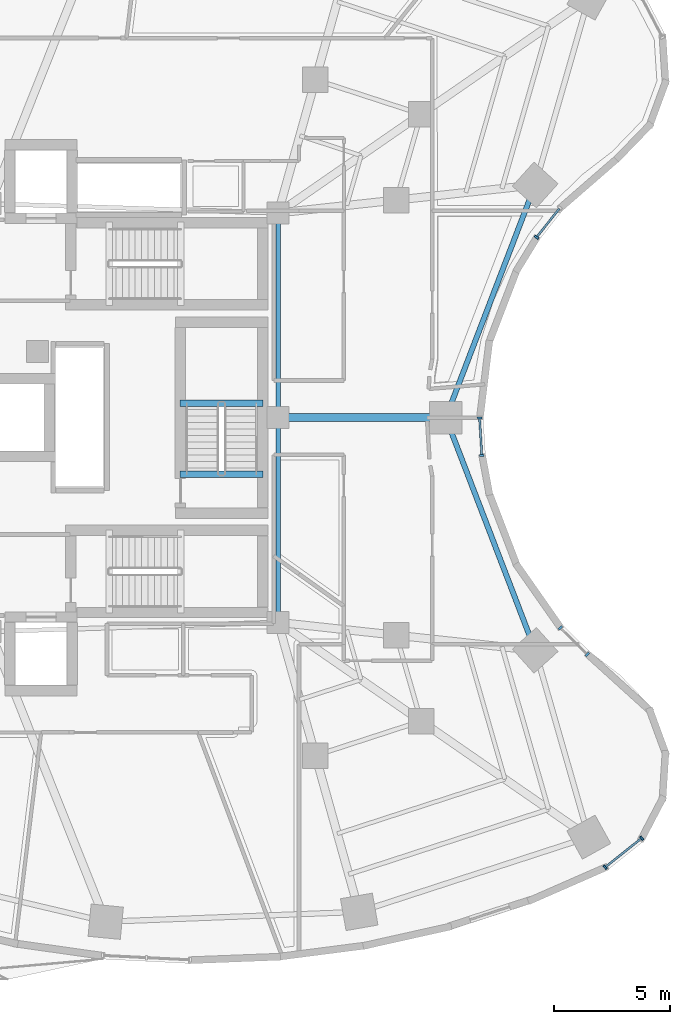
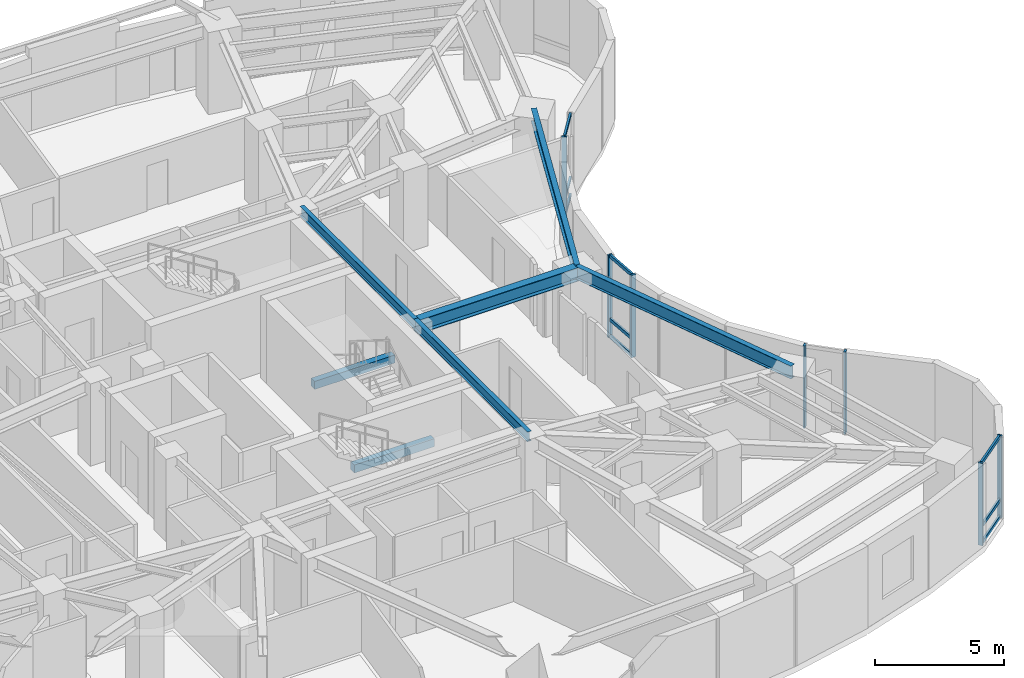
# One storey, part 4 of 16: 16 members, 7 beams, 4 elements without a shape of their own.
"""IFC4 building model written with IfcOpenShell, lengths in metres."""

from ifc_helpers import new_model, si_unit, direction, frame, origin, origin_2d, place, context, subcontext, project, spatial, rectangle, i_section, extrude, material, layer, layer_set, material_profile, profile_set, type_object, element, aggregate, save


model = new_model("IFC4")

# Units and contexts
model_context = context("Model", 3, precision=1e-05, world=origin(), true_north=direction((0.0, 1.0)))
body_context = subcontext(model_context, "Body", "Model", "MODEL_VIEW")
ifc_project = project(units=[si_unit("LENGTHUNIT", "METRE"), si_unit("AREAUNIT", "SQUARE_METRE"), si_unit("VOLUMEUNIT", "CUBIC_METRE"), si_unit("PLANEANGLEUNIT", "RADIAN"), si_unit("MASSUNIT", "GRAM", prefix="KILO")], contexts=[model_context])

# Site, building, storey
site_placement = place(None, origin())
site = spatial("IfcSite", under=ifc_project, at=site_placement, CompositionType="ELEMENT")
building_placement = place(site_placement, origin())
building = spatial("IfcBuilding", under=site, at=building_placement, Name="Korentha Bioscience Tower", CompositionType="ELEMENT")
storey_placement = place(building_placement, frame((0.0, 0.0, 59.39990234375)))
storey = spatial("IfcBuildingStorey", under=building, at=storey_placement, Name="L13", CompositionType="ELEMENT", Elevation=59.39990234375)

# Beams
ifc_material_1 = material(Name="Concrete C50", Category="concrete")
ifc_material_profile_1 = material_profile(ifc_material_1, rectangle(XDim=0.280029296875, YDim=0.3798828125, at=origin_2d()), Name="Concrete C50")
ifc_profile_set_1 = profile_set([ifc_material_profile_1], Name="Concrete C50 (ST-HB380)")
beam_type_1 = type_object("IfcBeamType", Name="Concrete Stair Header Beam RC 280x380", PredefinedType="BEAM", material=ifc_profile_set_1)
for number, where, z_axis, x_axis, name in (
    (1, (36.89990234375, 24.550048828125, -0.18994140625), (-1.0, 0.0, 0.0), (0.0, -1.0, 0.0), "L13 ST-3 Concrete Stair Header Beam"),
    (2, (36.89990234375, 27.6298828125, 1.91015625), (-1.0, 0.0, 0.0), (0.0, -1.0, 0.0), "L13 ST-3 Half-Landing Header Beam 1"),
):
    element("IfcBeam", number, at=place(storey_placement, frame(where, z_axis=z_axis, x_axis=x_axis)), inside=storey, type_object=beam_type_1, Name=name, PredefinedType="BEAM", context=body_context, shape_type="SweptSolid", body=[
        extrude(rectangle(XDim=0.280029296875, YDim=0.3798828125, at=origin_2d()), origin(), (0.0, 0.0, 1.0), 3.599853515625),
    ])
ifc_material_2 = material(Name="Steel S355", Category="steel")
ifc_material_profile_2 = material_profile(ifc_material_2, i_section(OverallWidth=0.18994140625, OverallDepth=0.45703125, WebThickness=0.009033203125, FlangeThickness=0.014404296875, at=origin_2d()), Name="Steel S355")
ifc_profile_set_2 = profile_set([ifc_material_profile_2], Name="Steel S355 (MB-460)")
beam_type_2 = type_object("IfcBeamType", Name="Mid-Ring Tie Girder W460x74", PredefinedType="BEAM", material=ifc_profile_set_2)
for number, where, z_axis, x_axis, name in (
    (3, (37.550048828125, 18.14990234375, 3.671630859375), (0.0, 1.0, 0.0), (-1.0, 0.0, 0.0), "L13 Core Ring Tie Girder 06"),
    (4, (37.550048828125, 27.0, 3.671630859375), (0.0, 1.0, 0.0), (-1.0, 0.0, 0.0), "L13 Core Ring Tie Girder 07"),
):
    element("IfcBeam", number, at=place(storey_placement, frame(where, z_axis=z_axis, x_axis=x_axis)), inside=storey, type_object=beam_type_2, Name=name, PredefinedType="BEAM", context=body_context, shape_type="SweptSolid", body=[
        extrude(i_section(OverallWidth=0.18994140625, OverallDepth=0.45703125, WebThickness=0.009033203125, FlangeThickness=0.014404296875, at=origin_2d()), origin(), (0.0, 0.0, 1.0), 8.85009765625),
    ])

# Curtain wall, members
ifc_material_3 = material(Name="Thermally Broken Aluminium Frame", Category="aluminium")
ifc_layer = layer(ifc_material_3, 0.219970703125, Name="Thermally Broken Aluminium Frame")
ifc_layer_set = layer_set([ifc_layer], Name="Thermally Broken Aluminium Frame (CW-T1)")
curtain_wall_type = type_object("IfcCurtainWallType", Name="Standard Bioscience Lab Unitised Curtain Wall CW-T1", PredefinedType="USERDEFINED", material=ifc_layer_set)
curtain_wall_1_placement = place(storey_placement, origin())
curtain_wall_1 = element("IfcCurtainWall", 5, at=curtain_wall_1_placement, inside=storey, type_object=curtain_wall_type, Name="L13 Curtain Wall 37", ObjectType="UNITISED", PredefinedType="USERDEFINED")
ifc_material_4 = material(Name="Anodised Aluminium 6063-T6", Category="aluminium")
ifc_material_profile_3 = material_profile(ifc_material_4, rectangle(XDim=0.090087890625, YDim=0.199951171875, at=origin_2d()), Name="Anodised Aluminium 6063-T6")
ifc_profile_set_3 = profile_set([ifc_material_profile_3], Name="Anodised Aluminium 6063-T6 (CW-MUL)")
member_type_1 = type_object("IfcMemberType", Name="Mullion RECT 90x200", PredefinedType="MULLION", material=ifc_profile_set_3)
member_1_placement = place(storey_placement, frame((51.6865234375, 7.56298828125, 0.0), z_axis=(0.0, 0.0, 1.0), x_axis=(0.782287851332, 0.62291710336, 0.0)))
member_1 = element("IfcMember", 6, at=member_1_placement, type_object=member_type_1, Name="CW-L13-37 Mullion 1", PredefinedType="MULLION", context=body_context, shape_type="SweptSolid", body=[
    extrude(rectangle(XDim=0.090087890625, YDim=0.199951171875, at=origin_2d()), origin(), (0.0, 0.0, 1.0), 3.900146484375),
])
member_2_placement = place(storey_placement, frame((53.264892578125, 8.81982421875, 0.0), z_axis=(0.0, 0.0, 1.0), x_axis=(0.782287851332, 0.62291710336, 0.0)))
member_2 = element("IfcMember", 7, at=member_2_placement, type_object=member_type_1, Name="CW-L13-37 Mullion 2", PredefinedType="MULLION", context=body_context, shape_type="SweptSolid", body=[
    extrude(rectangle(XDim=0.090087890625, YDim=0.199951171875, at=origin_2d()), origin(), (0.0, 0.0, 1.0), 3.900146484375),
])

curtain_wall_2_placement = place(storey_placement, origin())
curtain_wall_2 = element("IfcCurtainWall", 8, at=curtain_wall_2_placement, inside=storey, type_object=curtain_wall_type, Name="L13 Curtain Wall 43", ObjectType="UNITISED", PredefinedType="USERDEFINED")
member_3_placement = place(storey_placement, frame((50.913818359375, 16.76513671875, 0.0), z_axis=(0.0, 0.0, 1.0), x_axis=(-0.713279246754, 0.700879958445, 0.0)))
member_3 = element("IfcMember", 9, at=member_3_placement, type_object=member_type_1, Name="CW-L13-43 Mullion 1", PredefinedType="MULLION", context=body_context, shape_type="SweptSolid", body=[
    extrude(rectangle(XDim=0.090087890625, YDim=0.199951171875, at=origin_2d()), origin(), (0.0, 0.0, 1.0), 3.900146484375),
])
member_4_placement = place(storey_placement, frame((49.752685546875, 17.90625, 0.0), z_axis=(0.0, 0.0, 1.0), x_axis=(-0.713279246754, 0.700879958445, 0.0)))
member_4 = element("IfcMember", 10, at=member_4_placement, type_object=member_type_1, Name="CW-L13-43 Mullion 2", PredefinedType="MULLION", context=body_context, shape_type="SweptSolid", body=[
    extrude(rectangle(XDim=0.090087890625, YDim=0.199951171875, at=origin_2d()), origin(), (0.0, 0.0, 1.0), 3.900146484375),
])
aggregate(curtain_wall_2, [member_3, member_4])

curtain_wall_3_placement = place(storey_placement, origin())
curtain_wall_3 = element("IfcCurtainWall", 11, at=curtain_wall_3_placement, inside=storey, type_object=curtain_wall_type, Name="L13 Curtain Wall 49", ObjectType="UNITISED", PredefinedType="USERDEFINED")
member_5_placement = place(storey_placement, frame((46.355712890625, 25.3603515625, 0.0), z_axis=(0.0, 0.0, 1.0), x_axis=(-0.061008272998, 0.998137260413, 0.0)))
member_5 = element("IfcMember", 12, at=member_5_placement, type_object=member_type_1, Name="CW-L13-49 Mullion 1", PredefinedType="MULLION", context=body_context, shape_type="SweptSolid", body=[
    extrude(rectangle(XDim=0.090087890625, YDim=0.199951171875, at=origin_2d()), origin(), (0.0, 0.0, 1.0), 3.900146484375),
])
member_6_placement = place(storey_placement, frame((46.25634765625, 26.985107421875, 0.0), z_axis=(0.0, 0.0, 1.0), x_axis=(-0.061008272998, 0.998137260413, 0.0)))
member_6 = element("IfcMember", 13, at=member_6_placement, type_object=member_type_1, Name="CW-L13-49 Mullion 2", PredefinedType="MULLION", context=body_context, shape_type="SweptSolid", body=[
    extrude(rectangle(XDim=0.090087890625, YDim=0.199951171875, at=origin_2d()), origin(), (0.0, 0.0, 1.0), 3.900146484375),
])

# Curtain wall, member
curtain_wall_4_placement = place(storey_placement, origin())
curtain_wall_4 = element("IfcCurtainWall", 14, at=curtain_wall_4_placement, inside=storey, type_object=curtain_wall_type, Name="L13 Curtain Wall 55", ObjectType="UNITISED", PredefinedType="USERDEFINED")
member_7_placement = place(storey_placement, frame((48.719482421875, 34.7978515625, 0.0), z_axis=(0.0, 0.0, 1.0), x_axis=(0.622520324648, 0.782603632371, 0.0)))
member_7 = element("IfcMember", 15, at=member_7_placement, type_object=member_type_1, Name="CW-L13-55 Mullion 1", PredefinedType="MULLION", context=body_context, shape_type="SweptSolid", body=[
    extrude(rectangle(XDim=0.090087890625, YDim=0.199951171875, at=origin_2d()), origin(), (0.0, 0.0, 1.0), 3.900146484375),
])

# Beams
ifc_material_profile_4 = material_profile(ifc_material_2, i_section(OverallWidth=0.22802734375, OverallDepth=0.60791015625, WebThickness=0.01123046875, FlangeThickness=0.017333984375, at=origin_2d()), Name="Steel S355")
ifc_profile_set_4 = profile_set([ifc_material_profile_4], Name="Steel S355 (SB-610)")
beam_type_3 = type_object("IfcBeamType", Name="Perimeter Ring Spandrel Girder W610x113", PredefinedType="SPANDREL", material=ifc_profile_set_4)
for number, where, z_axis, x_axis, name in (
    (16, (48.661865234375, 16.939208984375, 3.59619140625), (-0.358473520253, 0.93353989485, 0.0), (-0.93353989485, -0.358473520253, 0.0), "L13 Perimeter Spandrel Girder 14"),
    (17, (44.798583984375, 27.0, 3.59619140625), (0.358473520253, 0.93353989485, 0.0), (-0.93353989485, 0.358473520253, 0.0), "L13 Perimeter Spandrel Girder 15"),
):
    element("IfcBeam", number, at=place(storey_placement, frame(where, z_axis=z_axis, x_axis=x_axis)), inside=storey, type_object=beam_type_3, Name=name, PredefinedType="SPANDREL", context=body_context, shape_type="SweptSolid", body=[
        extrude(i_section(OverallWidth=0.22802734375, OverallDepth=0.60791015625, WebThickness=0.01123046875, FlangeThickness=0.017333984375, at=origin_2d()), origin(), (0.0, 0.0, 1.0), 10.777099609375),
    ])
ifc_material_profile_5 = material_profile(ifc_material_2, i_section(OverallWidth=0.35009765625, OverallDepth=0.64990234375, WebThickness=0.01611328125, FlangeThickness=0.02490234375, at=origin_2d()), Name="Steel S355")
ifc_profile_set_5 = profile_set([ifc_material_profile_5], Name="Steel S355 (RB-650)")
beam_type_4 = type_object("IfcBeamType", Name="Radial Laboratory Girder CVS 650x208", PredefinedType="BEAM", material=ifc_profile_set_5)
beam_placement = place(storey_placement, frame((37.550048828125, 27.0, 3.5751953125), z_axis=(1.0, 0.0, 0.0), x_axis=(0.0, 1.0, 0.0)))
element("IfcBeam", 18, at=beam_placement, inside=storey, type_object=beam_type_4, Name="L13 Radial Girder 15", PredefinedType="BEAM", context=body_context, shape_type="SweptSolid", body=[
    extrude(i_section(OverallWidth=0.35009765625, OverallDepth=0.64990234375, WebThickness=0.01611328125, FlangeThickness=0.02490234375, at=origin_2d()), origin(), (0.0, 0.0, 1.0), 7.24853515625),
])

# Member
ifc_material_profile_6 = material_profile(ifc_material_4, rectangle(XDim=0.090087890625, YDim=0.159912109375, at=origin_2d()), Name="Anodised Aluminium 6063-T6")
ifc_profile_set_6 = profile_set([ifc_material_profile_6], Name="Anodised Aluminium 6063-T6 (CW-TRN)")
member_type_2 = type_object("IfcMemberType", Name="Transom RECT 90x160", PredefinedType="USERDEFINED", material=ifc_profile_set_6)
member_8_placement = place(storey_placement, frame((51.7216796875, 7.591064453125, 0.045166015625), z_axis=(0.78232471634, 0.622870803782, 0.0), x_axis=(-0.622870803782, 0.78232471634, 0.0)))
member_8 = element("IfcMember", 19, at=member_8_placement, type_object=member_type_2, Name="CW-L13-37 Bay 1 Transom 1", ObjectType="TRANSOM", PredefinedType="USERDEFINED", context=body_context, shape_type="SweptSolid", body=[
    extrude(rectangle(XDim=0.090087890625, YDim=0.159912109375, at=origin_2d()), origin(), (0.0, 0.0, 1.0), 1.927734375),
])

member_9_placement = place(storey_placement, frame((51.7216796875, 7.591064453125, 0.85009765625), z_axis=(0.78232471634, 0.622870803782, 0.0), x_axis=(-0.622870803782, 0.78232471634, 0.0)))
member_9 = element("IfcMember", 20, at=member_9_placement, type_object=member_type_2, Name="CW-L13-37 Bay 1 Transom 2", ObjectType="TRANSOM", PredefinedType="USERDEFINED", context=body_context, shape_type="SweptSolid", body=[
    extrude(rectangle(XDim=0.090087890625, YDim=0.159912109375, at=origin_2d()), origin(), (0.0, 0.0, 1.0), 1.927734375),
])

member_10_placement = place(storey_placement, frame((51.7216796875, 7.591064453125, 3.85498046875), z_axis=(0.78232471634, 0.622870803782, 0.0), x_axis=(-0.622870803782, 0.78232471634, 0.0)))
member_10 = element("IfcMember", 21, at=member_10_placement, type_object=member_type_2, Name="CW-L13-37 Bay 1 Transom 3", ObjectType="TRANSOM", PredefinedType="USERDEFINED", context=body_context, shape_type="SweptSolid", body=[
    extrude(rectangle(XDim=0.090087890625, YDim=0.159912109375, at=origin_2d()), origin(), (0.0, 0.0, 1.0), 1.927734375),
])

aggregate(curtain_wall_1, [member_1, member_2, member_8, member_9, member_10])

member_11_placement = place(storey_placement, frame((46.352783203125, 25.4052734375, 0.045166015625), z_axis=(-0.060964804815, 0.998139916331, 0.0), x_axis=(-0.998139916331, -0.060964804815, 0.0)))
member_11 = element("IfcMember", 22, at=member_11_placement, type_object=member_type_2, Name="CW-L13-49 Bay 1 Transom 1", ObjectType="TRANSOM", PredefinedType="USERDEFINED", context=body_context, shape_type="SweptSolid", body=[
    extrude(rectangle(XDim=0.090087890625, YDim=0.159912109375, at=origin_2d()), origin(), (0.0, 0.0, 1.0), 1.537841796875),
])

member_12_placement = place(storey_placement, frame((46.352783203125, 25.4052734375, 0.85009765625), z_axis=(-0.060964804815, 0.998139916331, 0.0), x_axis=(-0.998139916331, -0.060964804815, 0.0)))
member_12 = element("IfcMember", 23, at=member_12_placement, type_object=member_type_2, Name="CW-L13-49 Bay 1 Transom 2", ObjectType="TRANSOM", PredefinedType="USERDEFINED", context=body_context, shape_type="SweptSolid", body=[
    extrude(rectangle(XDim=0.090087890625, YDim=0.159912109375, at=origin_2d()), origin(), (0.0, 0.0, 1.0), 1.537841796875),
])

member_13_placement = place(storey_placement, frame((46.352783203125, 25.4052734375, 3.85498046875), z_axis=(-0.060964804815, 0.998139916331, 0.0), x_axis=(-0.998139916331, -0.060964804815, 0.0)))
member_13 = element("IfcMember", 24, at=member_13_placement, type_object=member_type_2, Name="CW-L13-49 Bay 1 Transom 3", ObjectType="TRANSOM", PredefinedType="USERDEFINED", context=body_context, shape_type="SweptSolid", body=[
    extrude(rectangle(XDim=0.090087890625, YDim=0.159912109375, at=origin_2d()), origin(), (0.0, 0.0, 1.0), 1.537841796875),
])

aggregate(curtain_wall_3, [member_5, member_6, member_11, member_12, member_13])

member_14_placement = place(storey_placement, frame((48.74755859375, 34.8330078125, 0.045166015625), z_axis=(0.622563336945, 0.782569416405, 0.0), x_axis=(-0.782569416405, 0.622563336945, 0.0)))
member_14 = element("IfcMember", 25, at=member_14_placement, type_object=member_type_2, Name="CW-L13-55 Bay 1 Transom 1", ObjectType="TRANSOM", PredefinedType="USERDEFINED", context=body_context, shape_type="SweptSolid", body=[
    extrude(rectangle(XDim=0.090087890625, YDim=0.159912109375, at=origin_2d()), origin(), (0.0, 0.0, 1.0), 1.5380859375),
])

member_15_placement = place(storey_placement, frame((48.74755859375, 34.8330078125, 0.85009765625), z_axis=(0.622563336945, 0.782569416405, 0.0), x_axis=(-0.782569416405, 0.622563336945, 0.0)))
member_15 = element("IfcMember", 26, at=member_15_placement, type_object=member_type_2, Name="CW-L13-55 Bay 1 Transom 2", ObjectType="TRANSOM", PredefinedType="USERDEFINED", context=body_context, shape_type="SweptSolid", body=[
    extrude(rectangle(XDim=0.090087890625, YDim=0.159912109375, at=origin_2d()), origin(), (0.0, 0.0, 1.0), 1.5380859375),
])

member_16_placement = place(storey_placement, frame((48.74755859375, 34.8330078125, 3.85498046875), z_axis=(0.622563336945, 0.782569416405, 0.0), x_axis=(-0.782569416405, 0.622563336945, 0.0)))
member_16 = element("IfcMember", 27, at=member_16_placement, type_object=member_type_2, Name="CW-L13-55 Bay 1 Transom 3", ObjectType="TRANSOM", PredefinedType="USERDEFINED", context=body_context, shape_type="SweptSolid", body=[
    extrude(rectangle(XDim=0.090087890625, YDim=0.159912109375, at=origin_2d()), origin(), (0.0, 0.0, 1.0), 1.5380859375),
])

aggregate(curtain_wall_4, [member_7, member_14, member_15, member_16])

save(model, "model.ifc")
